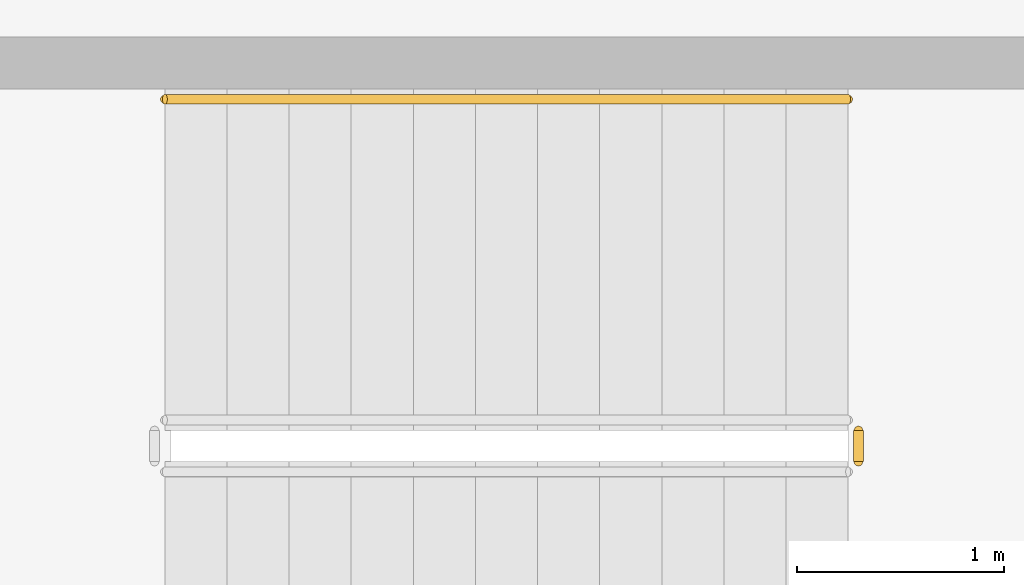
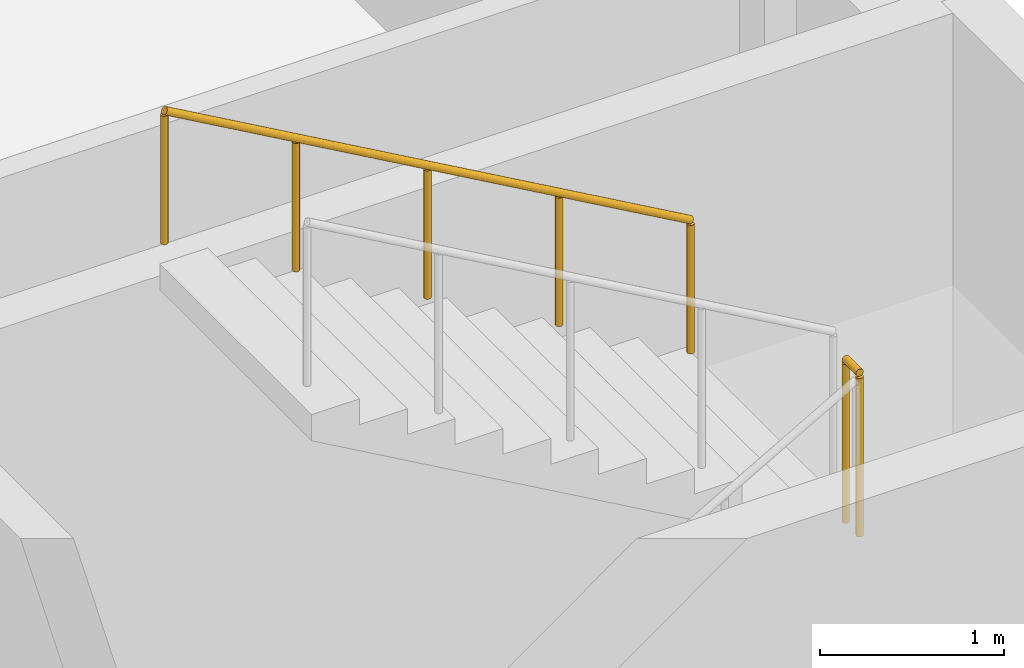
# One storey, part 35 of 36: 2 railings.
"""IFC4 building model written with IfcOpenShell, lengths in metres."""

from ifc_helpers import new_model, si_unit, direction, frame, origin, origin_2d, place, context, subcontext, project, spatial, circle, extrude, material, type_object, element, save


model = new_model("IFC4")

# Units and contexts
model_context = context("Model", 3, precision=1e-05, world=origin(), true_north=direction((0.0, 1.0)))
body_context = subcontext(model_context, "Body", "Model", "MODEL_VIEW")
ifc_project = project(units=[si_unit("LENGTHUNIT", "METRE"), si_unit("AREAUNIT", "SQUARE_METRE"), si_unit("VOLUMEUNIT", "CUBIC_METRE"), si_unit("PLANEANGLEUNIT", "RADIAN"), si_unit("MASSUNIT", "GRAM", prefix="KILO")], contexts=[model_context])

# Site, building, storey
site_placement = place(None, origin())
site = spatial("IfcSite", under=ifc_project, at=site_placement, CompositionType="ELEMENT")
building_placement = place(site_placement, origin())
building = spatial("IfcBuilding", under=site, at=building_placement, Name="Corbel Stack Research Tower", CompositionType="ELEMENT")
storey_placement = place(building_placement, frame((0.0, 0.0, 7.199951171875)))
storey = spatial("IfcBuildingStorey", under=building, at=storey_placement, Name="L01", CompositionType="ELEMENT", Elevation=7.199951171875)

# Railings
ifc_material_1 = material(Name="Steel S235", Category="steel")
railing_type_1 = type_object("IfcRailingType", Name="HR1 guard 1100", PredefinedType="GUARDRAIL", material=ifc_material_1)
railing_1_placement = place(storey_placement, frame((98.824951171875, -21.85009765625, 2.050048828125)))
element("IfcRailing", 1, at=railing_1_placement, inside=storey, type_object=railing_type_1, Name="L01 HS3 stair guard 2", PredefinedType="GUARDRAIL", context=body_context, shape_type="SweptSolid", body=[
    extrude(circle(Radius=0.02392578125, at=origin_2d()), frame((0.0, 0.0, 1.076171875), z_axis=(0.0, 1.0, 0.0), x_axis=(-1.0, 0.0, 0.0)), (0.0, 0.0, 1.0), 0.150146484375),
    extrude(circle(Radius=0.02099609375, at=origin_2d()), origin(), (0.0, 0.0, 1.0), 1.052001953125),
    extrude(circle(Radius=0.02099609375, at=origin_2d()), frame((0.0, 0.150146484375, 0.0)), (0.0, 0.0, 1.0), 1.052001953125),
])
ifc_material_2 = material(Name="Steel S235", Category="steel")
railing_type_2 = type_object("IfcRailingType", Name="HR2 handrail 900", PredefinedType="HANDRAIL", material=ifc_material_2)
railing_2_placement = place(storey_placement, frame((98.77490234375, -20.10009765625, 2.220947265625)))
element("IfcRailing", 2, at=railing_2_placement, inside=storey, type_object=railing_type_2, Name="L01 HS3 stair handrail 2", PredefinedType="HANDRAIL", context=body_context, shape_type="SweptSolid", body=[
    extrude(circle(Radius=0.02392578125, at=origin_2d()), frame((0.0, 0.0, 0.8759765625), z_axis=(-0.868974139896, 0.0, 0.494857498874), x_axis=(0.0, -1.0, 0.0)), (0.0, 0.0, 1.0), 3.79736328125),
    extrude(circle(Radius=0.02099609375, at=origin_2d()), origin(), (0.0, 0.0, 1.0), 0.851806640625),
    extrude(circle(Radius=0.02099609375, at=origin_2d()), frame((-0.824951171875, 0.0, 0.4697265625)), (0.0, 0.0, 1.0), 0.851806640625),
    extrude(circle(Radius=0.02099609375, at=origin_2d()), frame((-1.64990234375, 0.0, 0.939453125)), (0.0, 0.0, 1.0), 0.851806640625),
    extrude(circle(Radius=0.02099609375, at=origin_2d()), frame((-2.474853515625, 0.0, 1.409423828125)), (0.0, 0.0, 1.0), 0.851806640625),
    extrude(circle(Radius=0.02099609375, at=origin_2d()), frame((-3.2998046875, 0.0, 1.879150390625)), (0.0, 0.0, 1.0), 0.851806640625),
])

save(model, "model.ifc")
